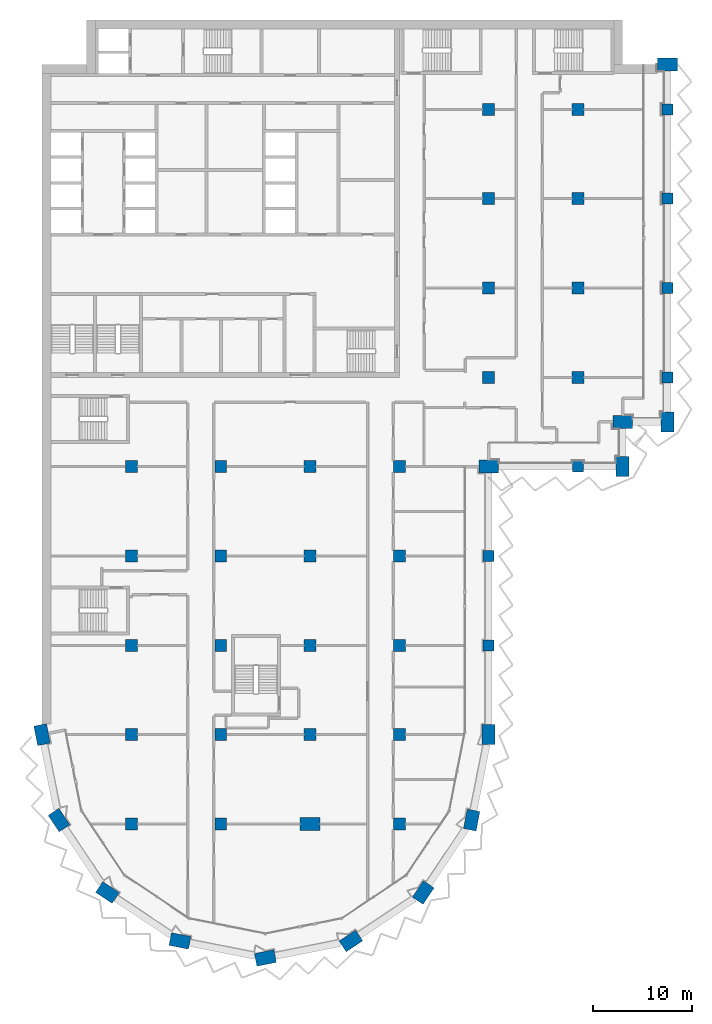
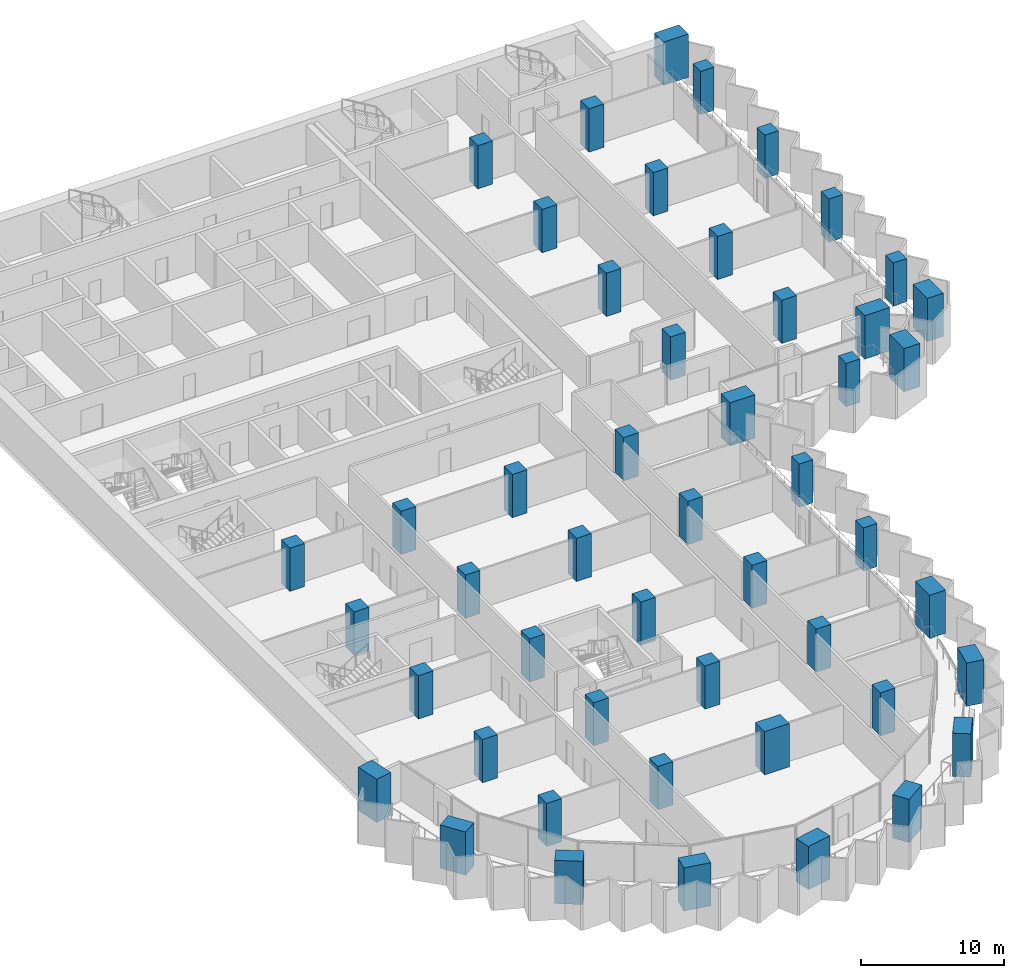
# One storey, part 1 of 22: 49 columns.
"""IFC4 building model written with IfcOpenShell, lengths in metres."""

from ifc_helpers import new_model, si_unit, direction, frame, origin, origin_2d, place, context, subcontext, project, spatial, rectangle, extrude, material, material_profile, profile_set, type_object, element, save


model = new_model("IFC4")

# Units and contexts
model_context = context("Model", 3, precision=1e-05, world=origin(), true_north=direction((0.0, 1.0)))
body_context = subcontext(model_context, "Body", "Model", "MODEL_VIEW")
ifc_project = project(units=[si_unit("LENGTHUNIT", "METRE"), si_unit("AREAUNIT", "SQUARE_METRE"), si_unit("VOLUMEUNIT", "CUBIC_METRE"), si_unit("PLANEANGLEUNIT", "RADIAN"), si_unit("MASSUNIT", "GRAM", prefix="KILO")], contexts=[model_context])

# Site, building, storey
site_placement = place(None, origin())
site = spatial("IfcSite", under=ifc_project, at=site_placement, CompositionType="ELEMENT")
building_placement = place(site_placement, origin())
building = spatial("IfcBuilding", under=site, at=building_placement, Name="Hunhe Ridgeline Campus", CompositionType="ELEMENT")
storey_placement = place(building_placement, frame((0.0, 0.0, 141.199951171875)))
storey = spatial("IfcBuildingStorey", under=building, at=storey_placement, Name="L35", CompositionType="ELEMENT", Elevation=141.199951171875)

# Columns
ifc_material = material(Name="Concrete C70", Category="concrete")
ifc_material_profile_1 = material_profile(ifc_material, rectangle(XDim=2.0, YDim=1.300048828125, at=origin_2d()))
ifc_profile_set_1 = profile_set([ifc_material_profile_1], Name="Concrete C70")
column_type_1 = type_object("IfcColumnType", Name="Megacolumn 2000x1300 Concrete C70", PredefinedType="COLUMN", material=ifc_profile_set_1)
for number, where, z_axis, x_axis, name in (
    (1, (22.5, 4.5, 0.0), (0.0, 0.0, 1.0), (0.980785280403, 0.195090322016, 0.0), "Column C9 R1 L35"),
    (2, (13.8896484375, 6.212646484375, 0.0), (0.0, 0.0, 1.0), (-0.980785280403, 0.195090322016, 0.0), "Column C9 R2 L35"),
    (3, (31.1103515625, 6.212646484375, 0.0), (0.0, 0.0, 1.0), (0.831469612303, 0.55557023302, 0.0), "Column C9 R3 L35"),
    (4, (6.590087890625, 11.090087890625, 0.0), (0.0, 0.0, 1.0), (-0.831469612303, 0.55557023302, 0.0), "Column C9 R4 L35"),
    (5, (38.409912109375, 11.090087890625, 0.0), (0.0, 0.0, 1.0), (0.55557023302, 0.831469612303, 0.0), "Column C9 R5 L35"),
    (6, (1.712646484375, 18.3896484375, 0.0), (0.0, 0.0, 1.0), (-0.55557023302, 0.831469612303, 0.0), "Column C9 R9 L35"),
    (7, (43.287353515625, 18.3896484375, 0.0), (0.0, 0.0, 1.0), (0.195090322016, 0.980785280403, 0.0), "Column C9 R10 L35"),
    (8, (0.0, 27.0, 0.0), (0.0, 0.0, 1.0), (-0.195090322016, 0.980785280403, 0.0), "Column C9 D1 L35"),
    (9, (45.0, 27.0, 0.0), (0.0, 0.0, 1.0), (0.0, 1.0, 0.0), "Column C9 D6 L35"),
    (10, (45.0, 54.0, 0.0), (0.0, 0.0, 1.0), (1.0, 0.0, 0.0), "Column C9 G6 L35"),
    (11, (58.5, 54.0, 0.0), (0.0, 0.0, 1.0), (0.0, 1.0, 0.0), "Column C9 R30 L35"),
    (12, (58.5, 58.5, 0.0), (0.0, 0.0, 1.0), (1.0, 0.0, 0.0), "Column C9 R35 L35"),
    (13, (63.0, 58.5, 0.0), (0.0, 0.0, 1.0), (0.0, 1.0, 0.0), "Column C9 R36 L35"),
    (14, (63.0, 94.5, 0.0), (0.0, 0.0, 1.0), (1.0, 0.0, 0.0), "Column C9 R42 L35"),
    (15, (27.0, 18.0, 0.0), (0.0, 0.0, 1.0), (1.0, 0.0, 0.0), "Column C9 C4 L35"),
):
    element("IfcColumn", number, at=place(storey_placement, frame(where, z_axis=z_axis, x_axis=x_axis)), inside=storey, type_object=column_type_1, Name=name, PredefinedType="COLUMN", context=body_context, shape_type="SweptSolid", body=[
        extrude(rectangle(XDim=2.0, YDim=1.300048828125, at=origin_2d()), origin(), (0.0, 0.0, 1.0), 3.699951171875),
    ])
ifc_material_profile_2 = material_profile(ifc_material, rectangle(XDim=1.10009765625, YDim=1.10009765625, at=origin_2d()))
ifc_profile_set_2 = profile_set([ifc_material_profile_2], Name="Concrete C70")
column_type_2 = type_object("IfcColumnType", Name="RC column 1100x1100 Concrete C70", PredefinedType="COLUMN", material=ifc_profile_set_2)
for number, where, z_axis, x_axis, name in (
    (16, (45.0, 36.0, 0.0), (0.0, 0.0, 1.0), (1.0, 0.0, 0.0), "Column C10 E6 L35"),
    (17, (45.0, 45.0, 0.0), (0.0, 0.0, 1.0), (1.0, 0.0, 0.0), "Column C10 F6 L35"),
    (18, (54.0, 54.0, 0.0), (0.0, 0.0, 1.0), (1.0, 0.0, 0.0), "Column C10 G7 L35"),
    (19, (63.0, 63.0, 0.0), (0.0, 0.0, 1.0), (1.0, 0.0, 0.0), "Column C10 H8 L35"),
    (20, (63.0, 72.0, 0.0), (0.0, 0.0, 1.0), (1.0, 0.0, 0.0), "Column C10 I8 L35"),
    (21, (63.0, 81.0, 0.0), (0.0, 0.0, 1.0), (1.0, 0.0, 0.0), "Column C10 J8 L35"),
    (22, (63.0, 90.0, 0.0), (0.0, 0.0, 1.0), (1.0, 0.0, 0.0), "Column C10 K8 L35"),
):
    element("IfcColumn", number, at=place(storey_placement, frame(where, z_axis=z_axis, x_axis=x_axis)), inside=storey, type_object=column_type_2, Name=name, PredefinedType="COLUMN", context=body_context, shape_type="SweptSolid", body=[
        extrude(rectangle(XDim=1.10009765625, YDim=1.10009765625, at=origin_2d()), origin(), (0.0, 0.0, 1.0), 3.699951171875),
    ])
ifc_material_profile_3 = material_profile(ifc_material, rectangle(XDim=1.199951171875, YDim=1.199951171875, at=origin_2d()))
ifc_profile_set_3 = profile_set([ifc_material_profile_3], Name="Concrete C70")
column_type_3 = type_object("IfcColumnType", Name="RC column 1200x1200 Concrete C70", PredefinedType="COLUMN", material=ifc_profile_set_3)
for number, where, z_axis, x_axis, name in (
    (23, (9.0, 18.0, 0.0), (0.0, 0.0, 1.0), (1.0, 0.0, 0.0), "Column C7 C2 L35"),
    (24, (9.0, 27.0, 0.0), (0.0, 0.0, 1.0), (1.0, 0.0, 0.0), "Column C7 D2 L35"),
    (25, (9.0, 36.0, 0.0), (0.0, 0.0, 1.0), (1.0, 0.0, 0.0), "Column C7 E2 L35"),
    (26, (9.0, 45.0, 0.0), (0.0, 0.0, 1.0), (1.0, 0.0, 0.0), "Column C7 F2 L35"),
    (27, (9.0, 54.0, 0.0), (0.0, 0.0, 1.0), (1.0, 0.0, 0.0), "Column C7 G2 L35"),
    (28, (18.0, 18.0, 0.0), (0.0, 0.0, 1.0), (1.0, 0.0, 0.0), "Column C7 C3 L35"),
    (29, (18.0, 27.0, 0.0), (0.0, 0.0, 1.0), (1.0, 0.0, 0.0), "Column C7 D3 L35"),
    (30, (18.0, 36.0, 0.0), (0.0, 0.0, 1.0), (1.0, 0.0, 0.0), "Column C7 E3 L35"),
    (31, (18.0, 45.0, 0.0), (0.0, 0.0, 1.0), (1.0, 0.0, 0.0), "Column C7 F3 L35"),
    (32, (18.0, 54.0, 0.0), (0.0, 0.0, 1.0), (1.0, 0.0, 0.0), "Column C7 G3 L35"),
    (33, (27.0, 27.0, 0.0), (0.0, 0.0, 1.0), (1.0, 0.0, 0.0), "Column C7 D4 L35"),
    (34, (27.0, 36.0, 0.0), (0.0, 0.0, 1.0), (1.0, 0.0, 0.0), "Column C7 E4 L35"),
    (35, (27.0, 45.0, 0.0), (0.0, 0.0, 1.0), (1.0, 0.0, 0.0), "Column C7 F4 L35"),
    (36, (27.0, 54.0, 0.0), (0.0, 0.0, 1.0), (1.0, 0.0, 0.0), "Column C7 G4 L35"),
    (37, (36.0, 18.0, 0.0), (0.0, 0.0, 1.0), (1.0, 0.0, 0.0), "Column C7 C5 L35"),
    (38, (36.0, 27.0, 0.0), (0.0, 0.0, 1.0), (1.0, 0.0, 0.0), "Column C7 D5 L35"),
    (39, (36.0, 36.0, 0.0), (0.0, 0.0, 1.0), (1.0, 0.0, 0.0), "Column C7 E5 L35"),
    (40, (36.0, 45.0, 0.0), (0.0, 0.0, 1.0), (1.0, 0.0, 0.0), "Column C7 F5 L35"),
    (41, (36.0, 54.0, 0.0), (0.0, 0.0, 1.0), (1.0, 0.0, 0.0), "Column C7 G5 L35"),
    (42, (45.0, 63.0, 0.0), (0.0, 0.0, 1.0), (1.0, 0.0, 0.0), "Column C7 H6 L35"),
    (43, (45.0, 72.0, 0.0), (0.0, 0.0, 1.0), (1.0, 0.0, 0.0), "Column C7 I6 L35"),
    (44, (45.0, 81.0, 0.0), (0.0, 0.0, 1.0), (1.0, 0.0, 0.0), "Column C7 J6 L35"),
    (45, (45.0, 90.0, 0.0), (0.0, 0.0, 1.0), (1.0, 0.0, 0.0), "Column C7 K6 L35"),
    (46, (54.0, 63.0, 0.0), (0.0, 0.0, 1.0), (1.0, 0.0, 0.0), "Column C7 H7 L35"),
    (47, (54.0, 72.0, 0.0), (0.0, 0.0, 1.0), (1.0, 0.0, 0.0), "Column C7 I7 L35"),
    (48, (54.0, 81.0, 0.0), (0.0, 0.0, 1.0), (1.0, 0.0, 0.0), "Column C7 J7 L35"),
    (49, (54.0, 90.0, 0.0), (0.0, 0.0, 1.0), (1.0, 0.0, 0.0), "Column C7 K7 L35"),
):
    element("IfcColumn", number, at=place(storey_placement, frame(where, z_axis=z_axis, x_axis=x_axis)), inside=storey, type_object=column_type_3, Name=name, PredefinedType="COLUMN", context=body_context, shape_type="SweptSolid", body=[
        extrude(rectangle(XDim=1.199951171875, YDim=1.199951171875, at=origin_2d()), origin(), (0.0, 0.0, 1.0), 3.699951171875),
    ])

save(model, "model.ifc")
